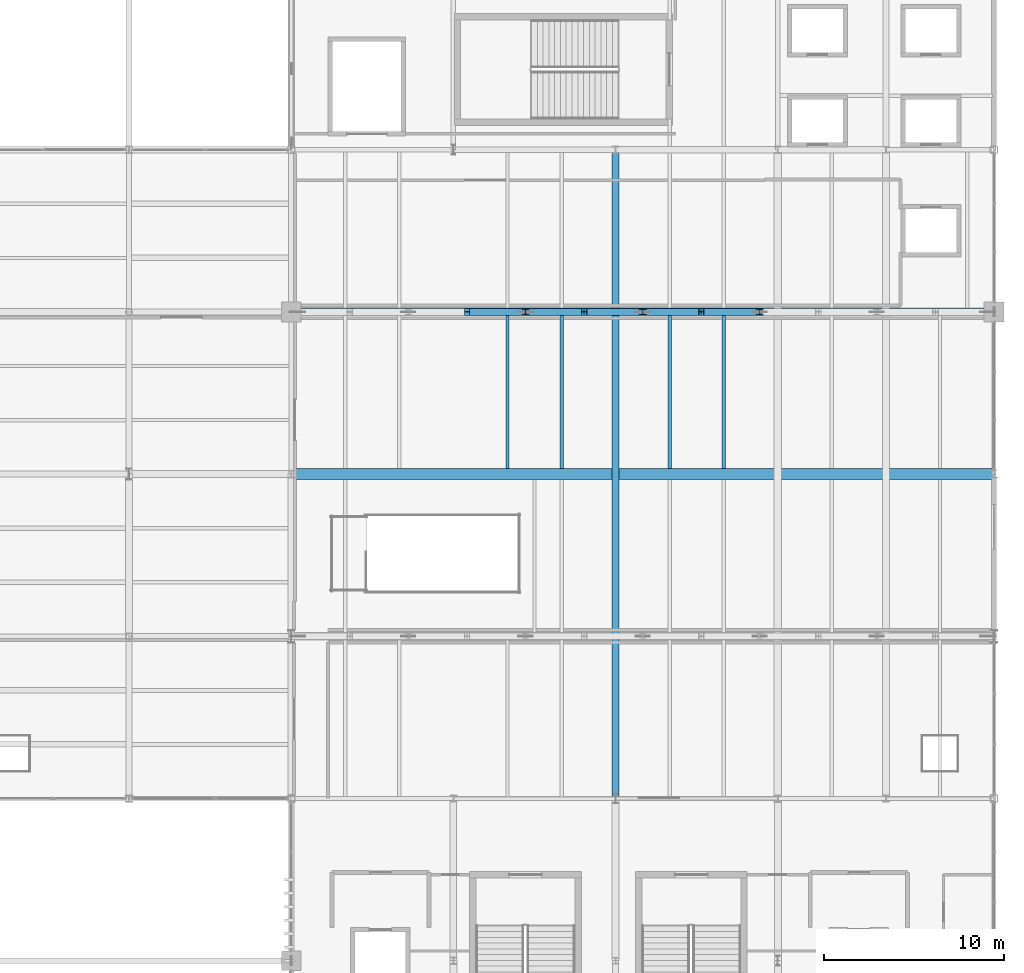
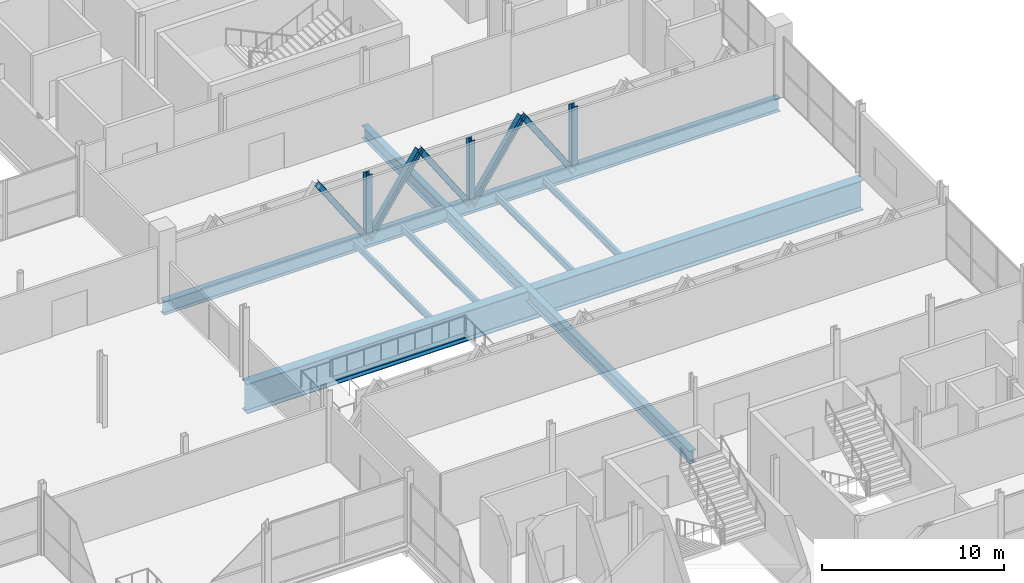
# One storey, part 136 of 224: 8 members, 7 beams.
"""IFC4 building model written with IfcOpenShell, lengths in metres."""

from ifc_helpers import new_model, si_unit, direction, frame, origin, origin_2d, place, context, subcontext, project, spatial, i_section, extrude, material, material_profile, profile_set, type_object, element, save


model = new_model("IFC4")

# Units and contexts
model_context = context("Model", 3, precision=1e-05, world=origin(), true_north=direction((0.0, 1.0)))
body_context = subcontext(model_context, "Body", "Model", "MODEL_VIEW")
ifc_project = project(units=[si_unit("LENGTHUNIT", "METRE"), si_unit("AREAUNIT", "SQUARE_METRE"), si_unit("VOLUMEUNIT", "CUBIC_METRE"), si_unit("PLANEANGLEUNIT", "RADIAN"), si_unit("MASSUNIT", "GRAM", prefix="KILO")], contexts=[model_context])

# Site, building, storey
site_placement = place(None, origin())
site = spatial("IfcSite", under=ifc_project, at=site_placement, CompositionType="ELEMENT")
building_placement = place(site_placement, origin())
building = spatial("IfcBuilding", under=site, at=building_placement, Name="Qamarlyn Nura Convention Centre", CompositionType="ELEMENT")
storey_placement = place(building_placement, frame((0.0, 0.0, 10.800048828125)))
storey = spatial("IfcBuildingStorey", under=building, at=storey_placement, Name="L02", CompositionType="ELEMENT", Elevation=10.800048828125)

# Beams
ifc_material = material(Name="Steel ASTM A992", Category="steel")
ifc_material_profile_1 = material_profile(ifc_material, i_section(OverallWidth=0.60009765625, OverallDepth=2.0, WebThickness=0.031982421875, FlangeThickness=0.050048828125, FilletRadius=0.028076171875, at=origin_2d()), Name="W2000X600")
ifc_profile_set_1 = profile_set([ifc_material_profile_1], Name="Steel ASTM A992")
beam_type_1 = type_object("IfcBeamType", Name="BM-BALLROOM-2000", PredefinedType="BEAM", material=ifc_profile_set_1)
beam_1_placement = place(storey_placement, frame((153.0, 36.0, -1.260009765625), z_axis=(1.0, 0.0, 0.0), x_axis=(0.0, 1.0, 0.0)))
element("IfcBeam", 1, at=beam_1_placement, inside=storey, type_object=beam_type_1, Name="L02 clear-span ballroom girder E 13-18", PredefinedType="BEAM", context=body_context, shape_type="SweptSolid", body=[
    extrude(i_section(OverallWidth=0.60009765625, OverallDepth=2.0, WebThickness=0.031982421875, FlangeThickness=0.050048828125, FilletRadius=0.028076171875, at=origin_2d()), origin(), (0.0, 0.0, 1.0), 39.0),
])
ifc_material_profile_2 = material_profile(ifc_material, i_section(OverallWidth=0.39990234375, OverallDepth=0.85498046875, WebThickness=0.018310546875, FlangeThickness=0.029296875, FilletRadius=0.02197265625, at=origin_2d()), Name="W840X299")
ifc_profile_set_2 = profile_set([ifc_material_profile_2], Name="Steel ASTM A992")
beam_type_2 = type_object("IfcBeamType", Name="BM-GIRD-840", PredefinedType="BEAM", material=ifc_profile_set_2)
beam_2_placement = place(storey_placement, frame((171.0, 18.0, -0.6875), z_axis=(0.0, 1.0, 0.0), x_axis=(-1.0, 0.0, 0.0)))
element("IfcBeam", 2, at=beam_2_placement, inside=storey, type_object=beam_type_2, Name="L02 girder 15 C-G", PredefinedType="BEAM", context=body_context, shape_type="SweptSolid", body=[
    extrude(i_section(OverallWidth=0.39990234375, OverallDepth=0.85498046875, WebThickness=0.018310546875, FlangeThickness=0.029296875, FilletRadius=0.02197265625, at=origin_2d()), origin(), (0.0, 0.0, 1.0), 36.0),
])
ifc_material_profile_3 = material_profile(ifc_material, i_section(OverallWidth=0.18994140625, OverallDepth=0.45703125, WebThickness=0.009033203125, FlangeThickness=0.014404296875, FilletRadius=0.012939453125, at=origin_2d()), Name="W460X74")
ifc_profile_set_3 = profile_set([ifc_material_profile_3], Name="Steel ASTM A992")
beam_type_3 = type_object("IfcBeamType", Name="BM-JOIST-460", PredefinedType="JOIST", material=ifc_profile_set_3)
for number, where, z_axis, x_axis, name in (
    (3, (165.0, 36.300048828125, -0.488525390625), (0.0, 1.0, 0.0), (-1.0, 0.0, 0.0), "L02 secondary joist 14-15/E-F-15"),
    (4, (168.0, 36.300048828125, -0.488525390625), (0.0, 1.0, 0.0), (-1.0, 0.0, 0.0), "L02 secondary joist 14-15/E-F-16"),
    (5, (174.0, 36.300048828125, -0.488525390625), (0.0, 1.0, 0.0), (-1.0, 0.0, 0.0), "L02 secondary joist 15-16/E-F-23"),
    (6, (177.0, 36.300048828125, -0.488525390625), (0.0, 1.0, 0.0), (-1.0, 0.0, 0.0), "L02 secondary joist 15-16/E-F-24"),
):
    element("IfcBeam", number, at=place(storey_placement, frame(where, z_axis=z_axis, x_axis=x_axis)), inside=storey, type_object=beam_type_3, Name=name, PredefinedType="JOIST", context=body_context, shape_type="SweptSolid", body=[
        extrude(i_section(OverallWidth=0.18994140625, OverallDepth=0.45703125, WebThickness=0.009033203125, FlangeThickness=0.014404296875, FilletRadius=0.012939453125, at=origin_2d()), origin(), (0.0, 0.0, 1.0), 8.490966796875),
    ])
ifc_material_profile_4 = material_profile(ifc_material, i_section(OverallWidth=0.41796875, OverallDepth=0.912109375, WebThickness=0.019287109375, FlangeThickness=0.031982421875, FilletRadius=0.02392578125, at=origin_2d()), Name="W920X342")
ifc_profile_set_4 = profile_set([ifc_material_profile_4], Name="Steel ASTM A992")
beam_type_4 = type_object("IfcBeamType", Name="BM-TRANSFER-920", PredefinedType="BEAM", material=ifc_profile_set_4)
beam_3_placement = place(storey_placement, frame((153.0, 45.0, -0.716064453125), z_axis=(1.0, 0.0, 0.0), x_axis=(0.0, 1.0, 0.0)))
element("IfcBeam", 7, at=beam_3_placement, inside=storey, type_object=beam_type_4, Name="L02 Warren transfer structure girder F 13-18", PredefinedType="BEAM", context=body_context, shape_type="SweptSolid", body=[
    extrude(i_section(OverallWidth=0.41796875, OverallDepth=0.912109375, WebThickness=0.019287109375, FlangeThickness=0.031982421875, FilletRadius=0.02392578125, at=origin_2d()), origin(), (0.0, 0.0, 1.0), 39.0),
])

# Members
ifc_material_profile_5 = material_profile(ifc_material, i_section(OverallWidth=0.368896484375, OverallDepth=0.35595703125, WebThickness=0.01123046875, FlangeThickness=0.01806640625, FilletRadius=0.014892578125, at=origin_2d()), Name="W360X134")
ifc_profile_set_5 = profile_set([ifc_material_profile_5], Name="Steel ASTM A992")
member_type_1 = type_object("IfcMemberType", Name="TT-DIAG-02", PredefinedType="BRACE", material=ifc_profile_set_5)
for number, where, z_axis, x_axis, name in (
    (8, (162.75, 45.0, 4.14404296875), (0.555875275564, 0.0, -0.831265708433), (0.0, 1.0, 0.0), "Warren transfer structure diagonal F-2B"),
    (9, (166.0, 45.0, -0.716064453125), (0.555875275564, 0.0, 0.831265708433), (0.0, 1.0, 0.0), "Warren transfer structure diagonal F-3A"),
    (10, (169.25, 45.0, 4.14404296875), (0.555875275564, 0.0, -0.831265708433), (0.0, 1.0, 0.0), "Warren transfer structure diagonal F-3B"),
    (11, (172.5, 45.0, -0.716064453125), (0.555875275564, 0.0, 0.831265708433), (0.0, 1.0, 0.0), "Warren transfer structure diagonal F-4A"),
    (12, (175.75, 45.0, 4.14404296875), (0.555875275564, 0.0, -0.831265708433), (0.0, 1.0, 0.0), "Warren transfer structure diagonal F-4B"),
):
    element("IfcMember", number, at=place(storey_placement, frame(where, z_axis=z_axis, x_axis=x_axis)), inside=storey, type_object=member_type_1, Name=name, PredefinedType="BRACE", context=body_context, shape_type="SweptSolid", body=[
        extrude(i_section(OverallWidth=0.368896484375, OverallDepth=0.35595703125, WebThickness=0.01123046875, FlangeThickness=0.01806640625, FilletRadius=0.014892578125, at=origin_2d()), origin(), (0.0, 0.0, 1.0), 5.8466796875),
    ])
ifc_material_profile_6 = material_profile(ifc_material, i_section(OverallWidth=0.3740234375, OverallDepth=0.3720703125, WebThickness=0.016357421875, FlangeThickness=0.026123046875, FilletRadius=0.01611328125, at=origin_2d()), Name="W360X196")
ifc_profile_set_6 = profile_set([ifc_material_profile_6], Name="Steel ASTM A992")
member_type_2 = type_object("IfcMemberType", Name="TT-VERT-01", PredefinedType="BRACE", material=ifc_profile_set_6)
for number, where, z_axis, x_axis, name in (
    (13, (166.0, 45.0, -0.260009765625), (0.0, 0.0, 1.0), (1.0, 0.0, 0.0), "Warren transfer truss vertical hanger F-2"),
    (14, (172.5, 45.0, -0.260009765625), (0.0, 0.0, 1.0), (1.0, 0.0, 0.0), "Warren transfer truss vertical hanger F-3"),
    (15, (179.0, 45.0, -0.260009765625), (0.0, 0.0, 1.0), (1.0, 0.0, 0.0), "Warren transfer truss vertical hanger F-4"),
):
    element("IfcMember", number, at=place(storey_placement, frame(where, z_axis=z_axis, x_axis=x_axis)), inside=storey, type_object=member_type_2, Name=name, PredefinedType="BRACE", context=body_context, shape_type="SweptSolid", body=[
        extrude(i_section(OverallWidth=0.3740234375, OverallDepth=0.3720703125, WebThickness=0.016357421875, FlangeThickness=0.026123046875, FilletRadius=0.01611328125, at=origin_2d()), origin(), (0.0, 0.0, 1.0), 3.947998046875),
    ])

save(model, "model.ifc")
